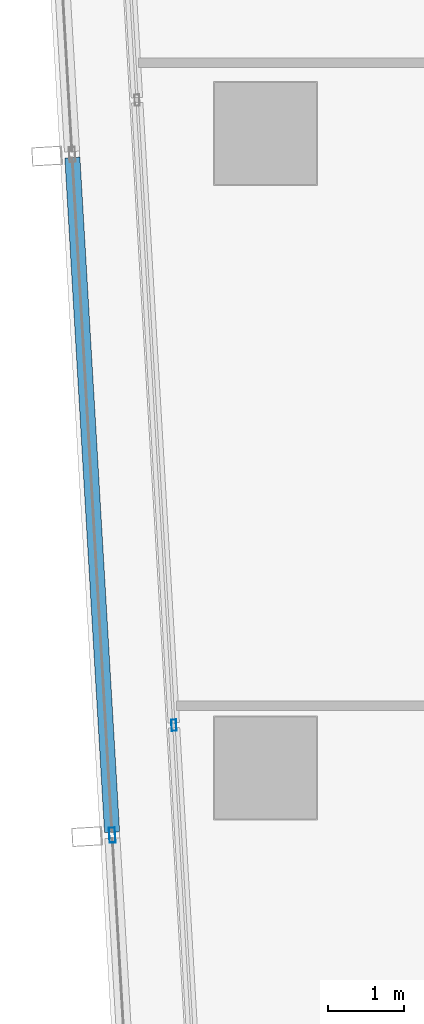
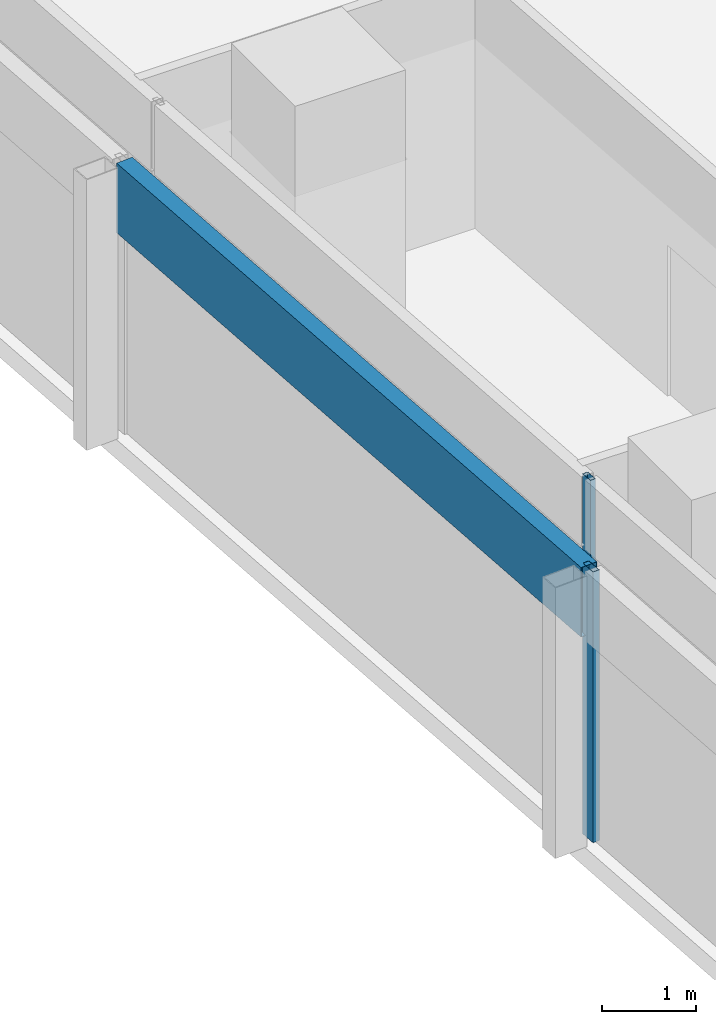
# One storey, part 5 of 38: 3 members, 2 elements without a shape of their own.
"""IFC4 building model written with IfcOpenShell, lengths in metres."""

from ifc_helpers import new_model, si_unit, direction, frame, origin, origin_2d, place, context, subcontext, project, spatial, hollow_rectangle, extrude, material, material_profile, profile_set, type_object, element, aggregate, save


model = new_model("IFC4")

# Units and contexts
model_context = context("Model", 3, precision=1e-05, world=origin(), true_north=direction((0.0, 1.0)))
body_context = subcontext(model_context, "Body", "Model", "MODEL_VIEW")
ifc_project = project(units=[si_unit("LENGTHUNIT", "METRE"), si_unit("AREAUNIT", "SQUARE_METRE"), si_unit("VOLUMEUNIT", "CUBIC_METRE"), si_unit("PLANEANGLEUNIT", "RADIAN"), si_unit("MASSUNIT", "GRAM", prefix="KILO")], contexts=[model_context])

# Site, building, storey
site_placement = place(None, origin())
site = spatial("IfcSite", under=ifc_project, at=site_placement, CompositionType="ELEMENT")
building_placement = place(site_placement, origin())
building = spatial("IfcBuilding", under=site, at=building_placement, Name="Rekha Terrace Tower", CompositionType="ELEMENT")
storey_placement = place(building_placement, frame((0.0, 0.0, 202.699951171875)))
storey = spatial("IfcBuildingStorey", under=building, at=storey_placement, Name="L51", CompositionType="ELEMENT", Elevation=202.699951171875)

# Curtain wall, member
ifc_material_1 = material(Name="Aluminium framing", Category="aluminium")
curtain_wall_type_1 = type_object("IfcCurtainWallType", Name="CW1 double skin inner glazing", PredefinedType="USERDEFINED", material=ifc_material_1)
curtain_wall_1_placement = place(storey_placement, origin())
curtain_wall_1 = element("IfcCurtainWall", 1, at=curtain_wall_1_placement, inside=storey, type_object=curtain_wall_type_1, Name="CW1 double skin inner glazing", ObjectType="DOUBLE SKIN INNER GLAZING", PredefinedType="USERDEFINED")
ifc_material_2 = material(Name="Aluminium mullion section", Category="aluminium")
ifc_material_profile_1 = material_profile(ifc_material_2, hollow_rectangle(XDim=0.06494140625, YDim=0.14990234375, WallThickness=0.00390625, at=origin_2d()), Name="AL RHS 65x150")
ifc_profile_set_1 = profile_set([ifc_material_profile_1], Name="Aluminium mullion section")
member_type_1 = type_object("IfcMemberType", Name="CW1 mullion RHS 65 x 150", PredefinedType="MULLION", material=ifc_profile_set_1)
member_1_placement = place(storey_placement, frame((7.18701171875, 25.76611328125, 0.0), z_axis=(0.0, 0.0, 1.0), x_axis=(0.998271839269, 0.058765082516, 0.0)))
member_1 = element("IfcMember", 2, at=member_1_placement, type_object=member_type_1, Name="CW1 mullion 3", PredefinedType="MULLION", context=body_context, shape_type="SweptSolid", body=[
    extrude(hollow_rectangle(XDim=0.06494140625, YDim=0.14990234375, WallThickness=0.00390625, at=origin_2d()), origin(), (0.0, 0.0, 1.0), 3.5),
])
aggregate(curtain_wall_1, [member_1])

# Curtain wall, members
curtain_wall_type_2 = type_object("IfcCurtainWallType", Name="CW2 double skin outer glazing", PredefinedType="USERDEFINED", material=ifc_material_1)
curtain_wall_2_placement = place(storey_placement, origin())
curtain_wall_2 = element("IfcCurtainWall", 3, at=curtain_wall_2_placement, inside=storey, type_object=curtain_wall_type_2, Name="CW2 double skin outer glazing", ObjectType="DOUBLE SKIN OUTER GLAZING", PredefinedType="USERDEFINED")
ifc_material_profile_2 = material_profile(ifc_material_2, hollow_rectangle(XDim=0.080078125, YDim=0.199951171875, WallThickness=0.00390625, at=origin_2d()), Name="AL RHS 80x200")
ifc_profile_set_2 = profile_set([ifc_material_profile_2], Name="Aluminium mullion section")
member_type_2 = type_object("IfcMemberType", Name="CW2 mullion RHS 80 x 200", PredefinedType="MULLION", material=ifc_profile_set_2)
member_2_placement = place(storey_placement, frame((6.370849609375, 24.31201171875, 0.0), z_axis=(0.0, 0.0, 1.0), x_axis=(0.99827183927, 0.058765082499, 0.0)))
member_2 = element("IfcMember", 4, at=member_2_placement, type_object=member_type_2, Name="CW2 mullion 3", PredefinedType="MULLION", context=body_context, shape_type="SweptSolid", body=[
    extrude(hollow_rectangle(XDim=0.080078125, YDim=0.199951171875, WallThickness=0.00390625, at=origin_2d()), origin(), (0.0, 0.0, 1.0), 3.5),
])
ifc_material_3 = material(Name="Insulated aluminium spandrel box", Category="aluminium")
ifc_material_profile_3 = material_profile(ifc_material_3, hollow_rectangle(XDim=0.199951171875, YDim=0.89990234375, WallThickness=0.0029296875, at=origin_2d()), Name="AL SPANDREL BOX 200x900")
ifc_profile_set_3 = profile_set([ifc_material_profile_3], Name="Insulated aluminium spandrel box")
member_type_3 = type_object("IfcMemberType", Name="CW2 spandrel transom 200 x 900", PredefinedType="USERDEFINED", material=ifc_profile_set_3)
member_3_placement = place(storey_placement, frame((5.843017578125, 33.27978515625, 3.050048828125), z_axis=(0.058773229711, -0.998271359636, 0.0), x_axis=(0.998271359636, 0.058773229711, 0.0)))
member_3 = element("IfcMember", 5, at=member_3_placement, type_object=member_type_3, Name="CW2 spandrel transom 2", ObjectType="TRANSOM", PredefinedType="USERDEFINED", context=body_context, shape_type="SweptSolid", body=[
    extrude(hollow_rectangle(XDim=0.199951171875, YDim=0.89990234375, WallThickness=0.0029296875, at=origin_2d()), origin(), (0.0, 0.0, 1.0), 8.943359375),
])
aggregate(curtain_wall_2, [member_2, member_3])

save(model, "model.ifc")
